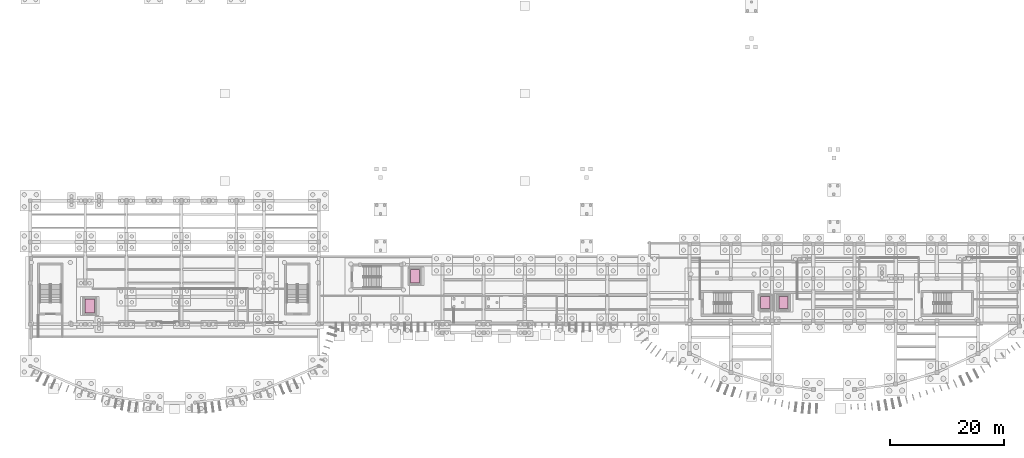
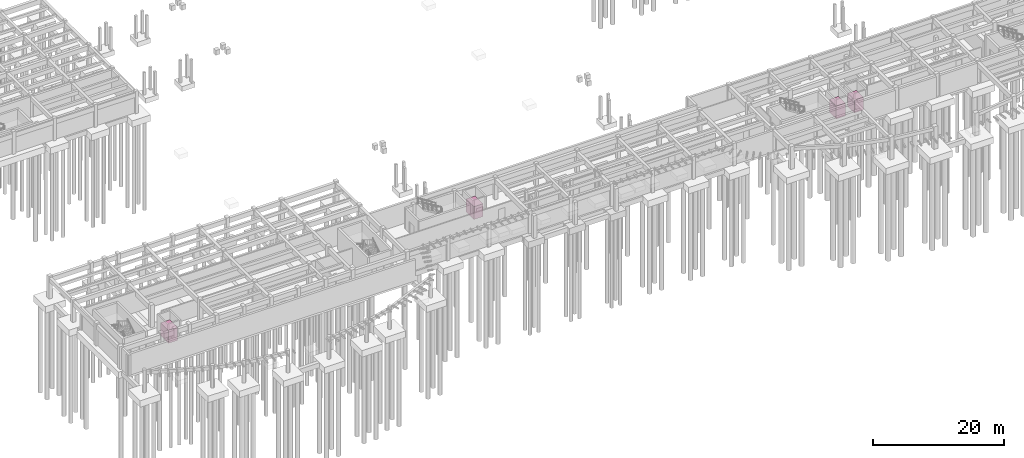
# One storey, part 31 of 31: 4 transport elements.
"""IFC4 building model written with IfcOpenShell, lengths in metres."""

from ifc_helpers import new_model, si_unit, direction, frame, origin, origin_2d, place, context, subcontext, project, spatial, rectangle, extrude, material, type_object, element, save


model = new_model("IFC4")

# Units and contexts
model_context = context("Model", 3, precision=1e-05, world=origin(), true_north=direction((0.0, 1.0)))
body_context = subcontext(model_context, "Body", "Model", "MODEL_VIEW")
ifc_project = project(units=[si_unit("LENGTHUNIT", "METRE"), si_unit("AREAUNIT", "SQUARE_METRE"), si_unit("VOLUMEUNIT", "CUBIC_METRE"), si_unit("PLANEANGLEUNIT", "RADIAN"), si_unit("MASSUNIT", "GRAM", prefix="KILO")], contexts=[model_context])

# Site, building, storey
site_placement = place(None, origin())
site = spatial("IfcSite", under=ifc_project, at=site_placement, CompositionType="ELEMENT")
building_placement = place(site_placement, origin())
building = spatial("IfcBuilding", under=site, at=building_placement, Name="Brisavento Harbour Community Centre", CompositionType="ELEMENT")
storey_placement = place(building_placement, frame((0.0, 0.0, -4.199951171875)))
storey = spatial("IfcBuildingStorey", under=building, at=storey_placement, Name="B1", CompositionType="ELEMENT", Elevation=-4.199951171875)

# Transport elements
ifc_material = material(Name="Stainless steel 1.4401", Category="steel")
transport_element_type_1 = type_object("IfcTransportElementType", Name="LFT-FF-1600", PredefinedType="ELEVATOR", material=ifc_material)
transport_element_1_placement = place(storey_placement, frame((10.39990234375, 17.60009765625, 0.0), z_axis=(0.0, 0.0, 1.0), x_axis=(1.0, 0.0, 0.0)))
element("IfcTransportElement", 1, at=transport_element_1_placement, inside=storey, type_object=transport_element_type_1, Name="Elevator car LC-01", PredefinedType="ELEVATOR", context=body_context, shape_type="SweptSolid", body=[
    extrude(rectangle(XDim=1.60009765625, YDim=2.39990234375, at=origin_2d()), origin(), (0.0, 0.0, 1.0), 2.39990234375),
])
transport_element_type_2 = type_object("IfcTransportElementType", Name="LFT-GDS-1600", PredefinedType="ELEVATOR", material=ifc_material)
transport_element_2_placement = place(storey_placement, frame((67.199951171875, 22.800048828125, 0.0), z_axis=(0.0, 0.0, 1.0), x_axis=(1.0, 0.0, 0.0)))
element("IfcTransportElement", 2, at=transport_element_2_placement, inside=storey, type_object=transport_element_type_2, Name="Elevator car LC-04", PredefinedType="ELEVATOR", context=body_context, shape_type="SweptSolid", body=[
    extrude(rectangle(XDim=1.60009765625, YDim=2.39990234375, at=origin_2d()), origin(), (0.0, 0.0, 1.0), 2.39990234375),
])
transport_element_type_3 = type_object("IfcTransportElementType", Name="LFT-PAX-1350", PredefinedType="ELEVATOR", material=ifc_material)
for number, where, z_axis, x_axis, name in (
    (3, (128.39990234375, 18.199951171875, 0.0), (0.0, 0.0, 1.0), (1.0, 0.0, 0.0), "Elevator car LC-02"),
    (4, (131.60009765625, 18.199951171875, 0.0), (0.0, 0.0, 1.0), (1.0, 0.0, 0.0), "Elevator car LC-03"),
):
    element("IfcTransportElement", number, at=place(storey_placement, frame(where, z_axis=z_axis, x_axis=x_axis)), inside=storey, type_object=transport_element_type_3, Name=name, PredefinedType="ELEVATOR", context=body_context, shape_type="SweptSolid", body=[
        extrude(rectangle(XDim=1.60009765625, YDim=2.10009765625, at=origin_2d()), origin(), (0.0, 0.0, 1.0), 2.39990234375),
    ])

save(model, "model.ifc")
